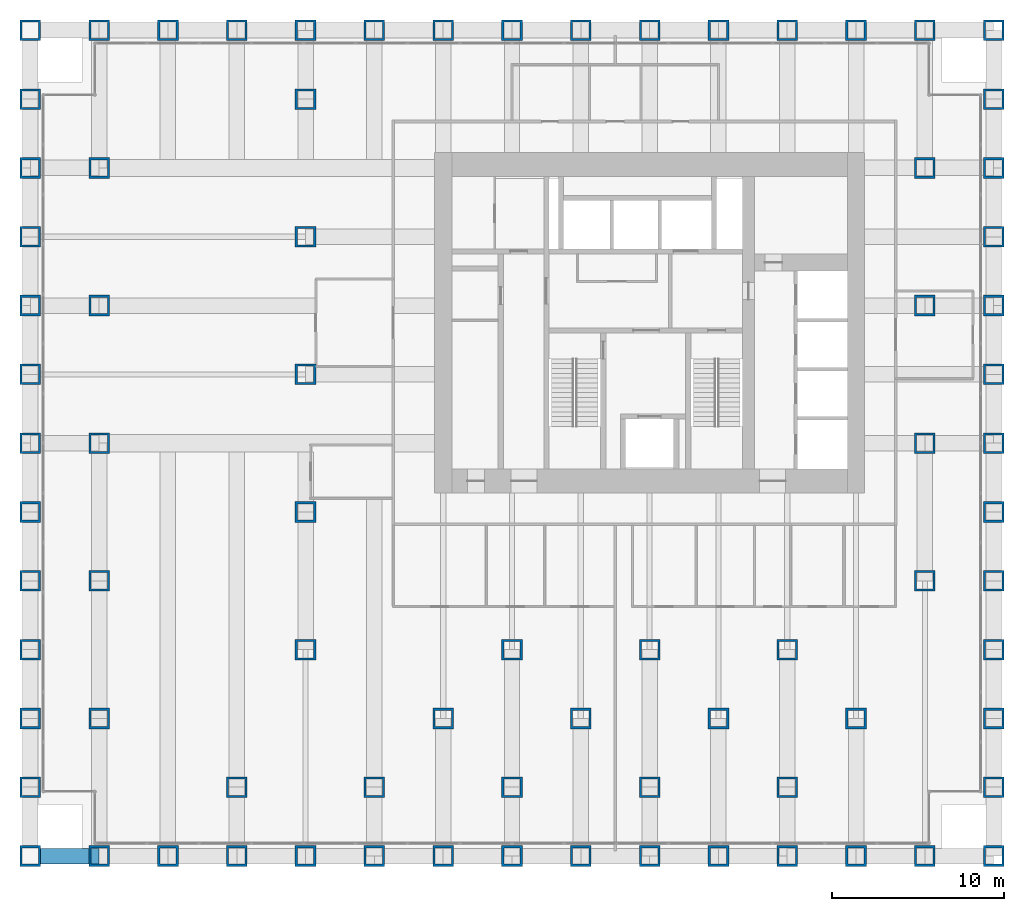
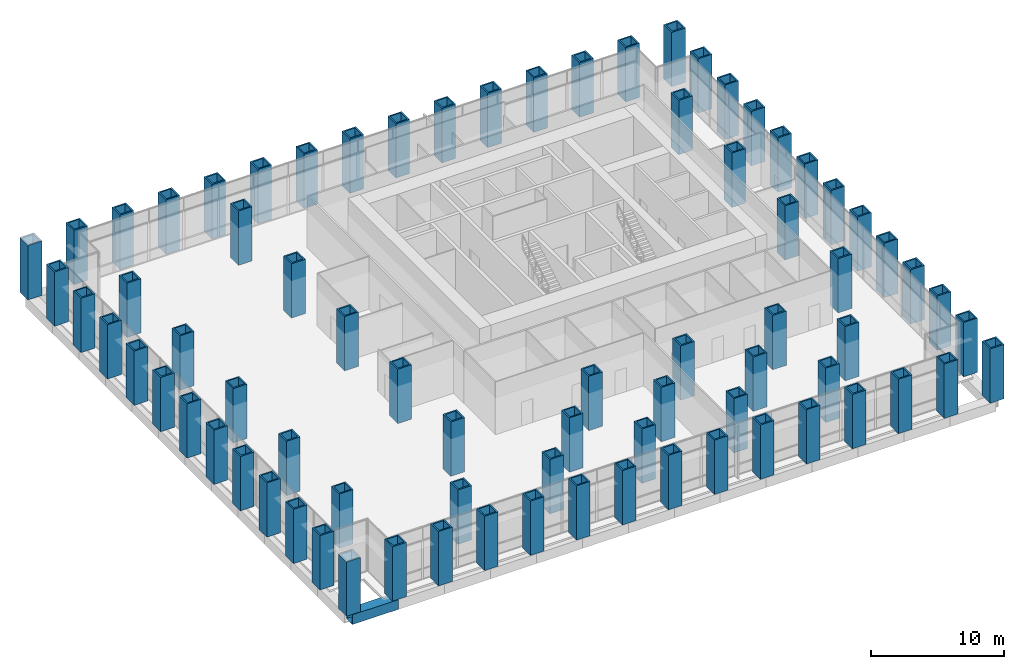
# One storey, part 1 of 18: 78 columns, 1 beam.
"""IFC4 building model written with IfcOpenShell, lengths in metres."""

from ifc_helpers import new_model, si_unit, direction, frame, origin, origin_2d, place, context, subcontext, project, spatial, hollow_rectangle, extrude, material, material_profile, profile_set, type_object, element, save


model = new_model("IFC4")

# Units and contexts
model_context = context("Model", 3, precision=1e-05, world=origin(), true_north=direction((0.0, 1.0)))
body_context = subcontext(model_context, "Body", "Model", "MODEL_VIEW")
ifc_project = project(units=[si_unit("LENGTHUNIT", "METRE"), si_unit("AREAUNIT", "SQUARE_METRE"), si_unit("VOLUMEUNIT", "CUBIC_METRE"), si_unit("PLANEANGLEUNIT", "RADIAN"), si_unit("MASSUNIT", "GRAM", prefix="KILO")], contexts=[model_context])

# Site, building, storey
site_placement = place(None, origin())
site = spatial("IfcSite", under=ifc_project, at=site_placement, CompositionType="ELEMENT")
building_placement = place(site_placement, origin())
building = spatial("IfcBuilding", under=site, at=building_placement, Name="Rimbunsela Tower", CompositionType="ELEMENT")
storey_placement = place(building_placement, frame((0.0, 0.0, 6.0)))
storey = spatial("IfcBuildingStorey", under=building, at=storey_placement, Name="L01", CompositionType="ELEMENT", Elevation=6.0)

# Columns
ifc_material_1 = material(Name="Steel BJ 55 (fy 410 MPa)", Category="steel")
ifc_material_profile_1 = material_profile(ifc_material_1, hollow_rectangle(XDim=1.199951171875, YDim=1.199951171875, WallThickness=0.125, at=origin_2d()), Name="BOX 1200x1200x125")
ifc_profile_set_1 = profile_set([ifc_material_profile_1], Name="Steel BJ 55 (fy 410 MPa)")
column_type = type_object("IfcColumnType", Name="Column BOX 1200x1200x125", PredefinedType="COLUMN", material=ifc_profile_set_1)
for number, where, z_axis, x_axis, name in (
    (1, (-6.0, -4.0, 0.0), (0.0, 0.0, 1.0), (1.0, 0.0, 0.0), "Column C6 1/A L01"),
    (2, (-6.0, 0.0, 0.0), (0.0, 0.0, 1.0), (1.0, 0.0, 0.0), "Column C6 1/B L01"),
    (3, (-6.0, 4.0, 0.0), (0.0, 0.0, 1.0), (1.0, 0.0, 0.0), "Column C6 1/C L01"),
    (4, (-6.0, 8.0, 0.0), (0.0, 0.0, 1.0), (1.0, 0.0, 0.0), "Column C6 1/D L01"),
    (5, (-6.0, 12.0, 0.0), (0.0, 0.0, 1.0), (1.0, 0.0, 0.0), "Column C6 1/E L01"),
    (6, (-6.0, 16.0, 0.0), (0.0, 0.0, 1.0), (1.0, 0.0, 0.0), "Column C6 1/F L01"),
    (7, (-6.0, 20.0, 0.0), (0.0, 0.0, 1.0), (1.0, 0.0, 0.0), "Column C6 1/G L01"),
    (8, (-6.0, 24.0, 0.0), (0.0, 0.0, 1.0), (1.0, 0.0, 0.0), "Column C6 1/H L01"),
    (9, (-6.0, 28.0, 0.0), (0.0, 0.0, 1.0), (1.0, 0.0, 0.0), "Column C6 1/J L01"),
    (10, (-6.0, 32.0, 0.0), (0.0, 0.0, 1.0), (1.0, 0.0, 0.0), "Column C6 1/K L01"),
    (11, (-6.0, 36.0, 0.0), (0.0, 0.0, 1.0), (1.0, 0.0, 0.0), "Column C6 1/L L01"),
    (12, (-6.0, 40.0, 0.0), (0.0, 0.0, 1.0), (1.0, 0.0, 0.0), "Column C6 1/M L01"),
    (13, (-6.0, 44.0, 0.0), (0.0, 0.0, 1.0), (1.0, 0.0, 0.0), "Column C6 1/N L01"),
    (14, (-2.0, -4.0, 0.0), (0.0, 0.0, 1.0), (1.0, 0.0, 0.0), "Column C6 2/A L01"),
    (15, (-2.0, 44.0, 0.0), (0.0, 0.0, 1.0), (1.0, 0.0, 0.0), "Column C6 2/N L01"),
    (16, (2.0, -4.0, 0.0), (0.0, 0.0, 1.0), (1.0, 0.0, 0.0), "Column C6 3/A L01"),
    (17, (2.0, 44.0, 0.0), (0.0, 0.0, 1.0), (1.0, 0.0, 0.0), "Column C6 3/N L01"),
    (18, (6.0, -4.0, 0.0), (0.0, 0.0, 1.0), (1.0, 0.0, 0.0), "Column C6 4/A L01"),
    (19, (6.0, 44.0, 0.0), (0.0, 0.0, 1.0), (1.0, 0.0, 0.0), "Column C6 4/N L01"),
    (20, (10.0, -4.0, 0.0), (0.0, 0.0, 1.0), (1.0, 0.0, 0.0), "Column C6 5/A L01"),
    (21, (10.0, 44.0, 0.0), (0.0, 0.0, 1.0), (1.0, 0.0, 0.0), "Column C6 5/N L01"),
    (22, (14.0, -4.0, 0.0), (0.0, 0.0, 1.0), (1.0, 0.0, 0.0), "Column C6 6/A L01"),
    (23, (14.0, 44.0, 0.0), (0.0, 0.0, 1.0), (1.0, 0.0, 0.0), "Column C6 6/N L01"),
    (24, (18.0, -4.0, 0.0), (0.0, 0.0, 1.0), (1.0, 0.0, 0.0), "Column C6 7/A L01"),
    (25, (18.0, 44.0, 0.0), (0.0, 0.0, 1.0), (1.0, 0.0, 0.0), "Column C6 7/N L01"),
    (26, (22.0, -4.0, 0.0), (0.0, 0.0, 1.0), (1.0, 0.0, 0.0), "Column C6 8/A L01"),
    (27, (22.0, 44.0, 0.0), (0.0, 0.0, 1.0), (1.0, 0.0, 0.0), "Column C6 8/N L01"),
    (28, (26.0, -4.0, 0.0), (0.0, 0.0, 1.0), (1.0, 0.0, 0.0), "Column C6 9/A L01"),
    (29, (26.0, 44.0, 0.0), (0.0, 0.0, 1.0), (1.0, 0.0, 0.0), "Column C6 9/N L01"),
    (30, (30.0, -4.0, 0.0), (0.0, 0.0, 1.0), (1.0, 0.0, 0.0), "Column C6 10/A L01"),
    (31, (30.0, 44.0, 0.0), (0.0, 0.0, 1.0), (1.0, 0.0, 0.0), "Column C6 10/N L01"),
    (32, (34.0, -4.0, 0.0), (0.0, 0.0, 1.0), (1.0, 0.0, 0.0), "Column C6 11/A L01"),
    (33, (34.0, 44.0, 0.0), (0.0, 0.0, 1.0), (1.0, 0.0, 0.0), "Column C6 11/N L01"),
    (34, (38.0, -4.0, 0.0), (0.0, 0.0, 1.0), (1.0, 0.0, 0.0), "Column C6 12/A L01"),
    (35, (38.0, 44.0, 0.0), (0.0, 0.0, 1.0), (1.0, 0.0, 0.0), "Column C6 12/N L01"),
    (36, (42.0, -4.0, 0.0), (0.0, 0.0, 1.0), (1.0, 0.0, 0.0), "Column C6 13/A L01"),
    (37, (42.0, 44.0, 0.0), (0.0, 0.0, 1.0), (1.0, 0.0, 0.0), "Column C6 13/N L01"),
    (38, (46.0, -4.0, 0.0), (0.0, 0.0, 1.0), (1.0, 0.0, 0.0), "Column C6 14/A L01"),
    (39, (46.0, 44.0, 0.0), (0.0, 0.0, 1.0), (1.0, 0.0, 0.0), "Column C6 14/N L01"),
    (40, (50.0, -4.0, 0.0), (0.0, 0.0, 1.0), (1.0, 0.0, 0.0), "Column C6 15/A L01"),
    (41, (50.0, 0.0, 0.0), (0.0, 0.0, 1.0), (1.0, 0.0, 0.0), "Column C6 15/B L01"),
    (42, (50.0, 4.0, 0.0), (0.0, 0.0, 1.0), (1.0, 0.0, 0.0), "Column C6 15/C L01"),
    (43, (50.0, 8.0, 0.0), (0.0, 0.0, 1.0), (1.0, 0.0, 0.0), "Column C6 15/D L01"),
    (44, (50.0, 12.0, 0.0), (0.0, 0.0, 1.0), (1.0, 0.0, 0.0), "Column C6 15/E L01"),
    (45, (50.0, 16.0, 0.0), (0.0, 0.0, 1.0), (1.0, 0.0, 0.0), "Column C6 15/F L01"),
    (46, (50.0, 20.0, 0.0), (0.0, 0.0, 1.0), (1.0, 0.0, 0.0), "Column C6 15/G L01"),
    (47, (50.0, 24.0, 0.0), (0.0, 0.0, 1.0), (1.0, 0.0, 0.0), "Column C6 15/H L01"),
    (48, (50.0, 28.0, 0.0), (0.0, 0.0, 1.0), (1.0, 0.0, 0.0), "Column C6 15/J L01"),
    (49, (50.0, 32.0, 0.0), (0.0, 0.0, 1.0), (1.0, 0.0, 0.0), "Column C6 15/K L01"),
    (50, (50.0, 36.0, 0.0), (0.0, 0.0, 1.0), (1.0, 0.0, 0.0), "Column C6 15/L L01"),
    (51, (50.0, 40.0, 0.0), (0.0, 0.0, 1.0), (1.0, 0.0, 0.0), "Column C6 15/M L01"),
    (52, (50.0, 44.0, 0.0), (0.0, 0.0, 1.0), (1.0, 0.0, 0.0), "Column C6 15/N L01"),
    (53, (-2.0, 4.0, 0.0), (0.0, 0.0, 1.0), (1.0, 0.0, 0.0), "Column C6 2/C L01"),
    (54, (-2.0, 12.0, 0.0), (0.0, 0.0, 1.0), (1.0, 0.0, 0.0), "Column C6 2/E L01"),
    (55, (-2.0, 20.0, 0.0), (0.0, 0.0, 1.0), (1.0, 0.0, 0.0), "Column C6 2/G L01"),
    (56, (-2.0, 28.0, 0.0), (0.0, 0.0, 1.0), (1.0, 0.0, 0.0), "Column C6 2/J L01"),
    (57, (-2.0, 36.0, 0.0), (0.0, 0.0, 1.0), (1.0, 0.0, 0.0), "Column C6 2/L L01"),
    (58, (6.0, 0.0, 0.0), (0.0, 0.0, 1.0), (1.0, 0.0, 0.0), "Column C6 4/B L01"),
    (59, (10.0, 8.0, 0.0), (0.0, 0.0, 1.0), (1.0, 0.0, 0.0), "Column C6 5/D L01"),
    (60, (10.0, 16.0, 0.0), (0.0, 0.0, 1.0), (1.0, 0.0, 0.0), "Column C6 5/F L01"),
    (61, (10.0, 24.0, 0.0), (0.0, 0.0, 1.0), (1.0, 0.0, 0.0), "Column C6 5/H L01"),
    (62, (10.0, 32.0, 0.0), (0.0, 0.0, 1.0), (1.0, 0.0, 0.0), "Column C6 5/K L01"),
    (63, (10.0, 40.0, 0.0), (0.0, 0.0, 1.0), (1.0, 0.0, 0.0), "Column C6 5/M L01"),
    (64, (14.0, 0.0, 0.0), (0.0, 0.0, 1.0), (1.0, 0.0, 0.0), "Column C6 6/B L01"),
    (65, (18.0, 4.0, 0.0), (0.0, 0.0, 1.0), (1.0, 0.0, 0.0), "Column C6 7/C L01"),
    (66, (22.0, 0.0, 0.0), (0.0, 0.0, 1.0), (1.0, 0.0, 0.0), "Column C6 8/B L01"),
    (67, (22.0, 8.0, 0.0), (0.0, 0.0, 1.0), (1.0, 0.0, 0.0), "Column C6 8/D L01"),
    (68, (26.0, 4.0, 0.0), (0.0, 0.0, 1.0), (1.0, 0.0, 0.0), "Column C6 9/C L01"),
    (69, (30.0, 0.0, 0.0), (0.0, 0.0, 1.0), (1.0, 0.0, 0.0), "Column C6 10/B L01"),
    (70, (30.0, 8.0, 0.0), (0.0, 0.0, 1.0), (1.0, 0.0, 0.0), "Column C6 10/D L01"),
    (71, (34.0, 4.0, 0.0), (0.0, 0.0, 1.0), (1.0, 0.0, 0.0), "Column C6 11/C L01"),
    (72, (38.0, 0.0, 0.0), (0.0, 0.0, 1.0), (1.0, 0.0, 0.0), "Column C6 12/B L01"),
    (73, (38.0, 8.0, 0.0), (0.0, 0.0, 1.0), (1.0, 0.0, 0.0), "Column C6 12/D L01"),
    (74, (42.0, 4.0, 0.0), (0.0, 0.0, 1.0), (1.0, 0.0, 0.0), "Column C6 13/C L01"),
    (75, (46.0, 12.0, 0.0), (0.0, 0.0, 1.0), (1.0, 0.0, 0.0), "Column C6 14/E L01"),
    (76, (46.0, 20.0, 0.0), (0.0, 0.0, 1.0), (1.0, 0.0, 0.0), "Column C6 14/G L01"),
    (77, (46.0, 28.0, 0.0), (0.0, 0.0, 1.0), (1.0, 0.0, 0.0), "Column C6 14/J L01"),
    (78, (46.0, 36.0, 0.0), (0.0, 0.0, 1.0), (1.0, 0.0, 0.0), "Column C6 14/L L01"),
):
    element("IfcColumn", number, at=place(storey_placement, frame(where, z_axis=z_axis, x_axis=x_axis)), inside=storey, type_object=column_type, Name=name, PredefinedType="COLUMN", context=body_context, shape_type="SweptSolid", body=[
        extrude(hollow_rectangle(XDim=1.199951171875, YDim=1.199951171875, WallThickness=0.125, at=origin_2d()), origin(), (0.0, 0.0, 1.0), 5.0),
    ])

# Beam
ifc_material_2 = material(Name="Steel BJ 55 (fy 410 MPa)", Category="steel")
ifc_material_profile_2 = material_profile(ifc_material_2, hollow_rectangle(XDim=0.89990234375, YDim=0.89990234375, WallThickness=0.06005859375, at=origin_2d()), Name="BOX 900x900x60")
ifc_profile_set_2 = profile_set([ifc_material_profile_2], Name="Steel BJ 55 (fy 410 MPa)")
beam_type = type_object("IfcBeamType", Name="Beam BOX 900x900x60", PredefinedType="BEAM", material=ifc_profile_set_2)
beam_placement = place(storey_placement, frame((-6.0, -4.0, -0.60009765625), z_axis=(1.0, 0.0, 0.0), x_axis=(0.0, 1.0, 0.0)))
element("IfcBeam", 79, at=beam_placement, inside=storey, type_object=beam_type, Name="Beam B1 L01", PredefinedType="BEAM", context=body_context, shape_type="SweptSolid", body=[
    extrude(hollow_rectangle(XDim=0.89990234375, YDim=0.89990234375, WallThickness=0.06005859375, at=origin_2d()), origin(), (0.0, 0.0, 1.0), 4.0),
])

save(model, "model.ifc")
